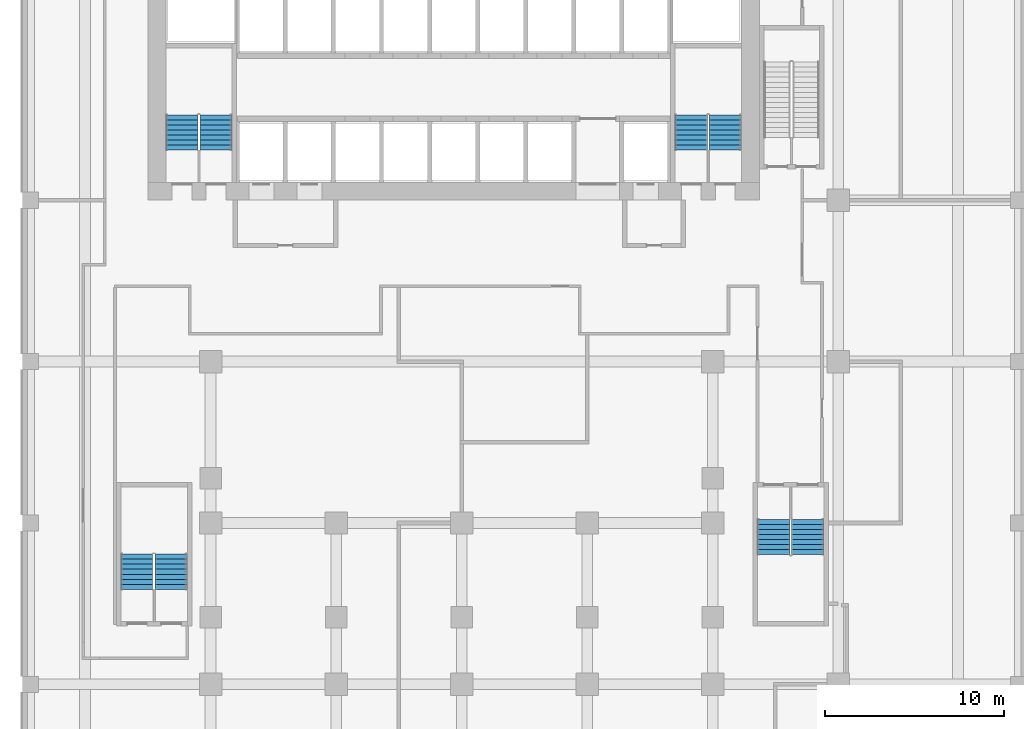
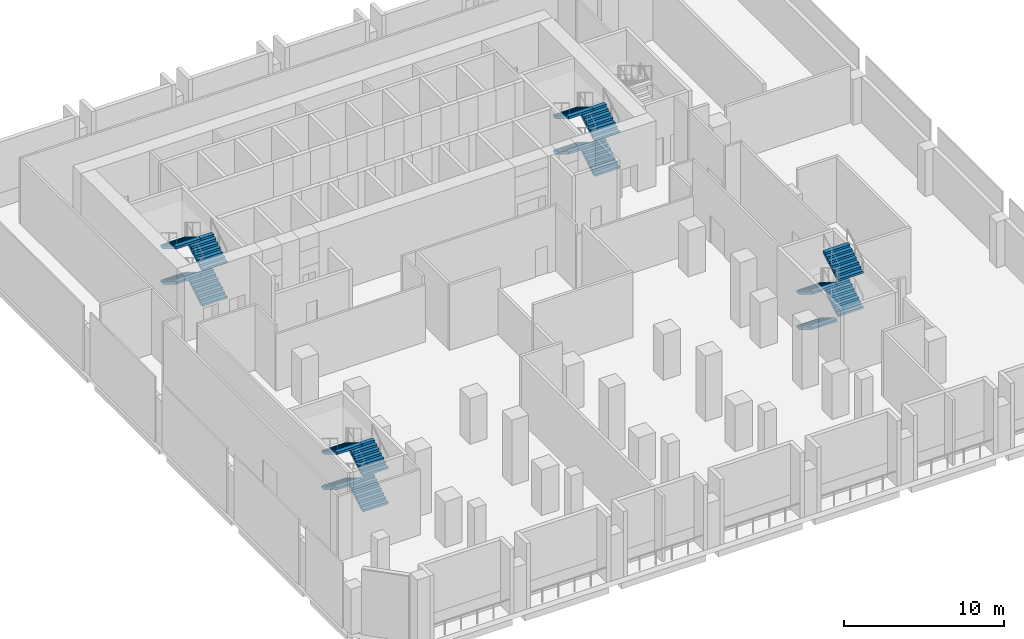
# One storey, part 7 of 10: 16 stair flights, 4 elements without a shape of their own.
"""IFC4 building model written with IfcOpenShell, lengths in metres."""

from ifc_helpers import new_model, si_unit, direction, frame, origin, place, context, subcontext, project, spatial, triangles, source, transform, mapped, material, type_object, element, aggregate, save


model = new_model("IFC4")

# Units and contexts
model_context = context("Model", 3, precision=1e-05, world=origin(), true_north=direction((0.0, 1.0)))
body_context = subcontext(model_context, "Body", "Model", "MODEL_VIEW")
ifc_project = project(units=[si_unit("LENGTHUNIT", "METRE"), si_unit("AREAUNIT", "SQUARE_METRE"), si_unit("VOLUMEUNIT", "CUBIC_METRE"), si_unit("PLANEANGLEUNIT", "RADIAN"), si_unit("MASSUNIT", "GRAM", prefix="KILO")], contexts=[model_context])

# Site, building, storey
site_placement = place(None, origin())
site = spatial("IfcSite", under=ifc_project, at=site_placement, CompositionType="ELEMENT")
building_placement = place(site_placement, origin())
building = spatial("IfcBuilding", under=site, at=building_placement, Name="Kilnfold Tower and Market Hall", CompositionType="ELEMENT")
storey_placement = place(building_placement, frame((0.0, 0.0, 95.199951171875)))
storey = spatial("IfcBuildingStorey", under=building, at=storey_placement, Name="L22 Refuge Transfer Level", CompositionType="ELEMENT", Elevation=95.199951171875)

# Stair, stair flights
ifc_material_1 = material(Name="Concrete C40/50", Category="concrete")
stair_type = type_object("IfcStairType", Name="CORE STAIR 1800", PredefinedType="HALF_TURN_STAIR", material=ifc_material_1)
stair_1_placement = place(storey_placement, origin())
stair_1 = element("IfcStair", 1, at=stair_1_placement, inside=storey, type_object=stair_type, Name="L22 Refuge Transfer Level ST1", PredefinedType="HALF_TURN_STAIR")
ifc_material_2 = material(Name="Concrete C40/50", Category="concrete")
stair_flight_type = type_object("IfcStairFlightType", Name="CORE STAIR FLIGHT 1800", PredefinedType="STRAIGHT", material=ifc_material_2)
shared_shape = source(origin(), body_context, "Body", "Tessellation", [
    triangles([(0.0, 0.89990234375, 0.0), (0.0, 0.78759765625, 0.0), (0.0, 0.675048828125, 0.0), (0.0, 0.5625, 0.0), (0.0, 0.449951171875, 0.0), (0.0, 0.33740234375, 0.0), (0.0, 0.22509765625, 0.0), (0.0, 0.112548828125, 0.0), (0.0, 0.0, 0.0), (0.0, -0.112548828125, 0.0), (0.0, -0.22509765625, 0.0), (0.0, -0.33740234375, 0.0), (0.0, -0.449951171875, 0.0), (0.0, -0.5625, 0.0), (0.0, -0.675048828125, 0.0), (0.0, -0.78759765625, 0.0), (0.0, -0.89990234375, 0.0), (0.0, 0.89990234375, 0.168701171875), (0.0, 0.78759765625, 0.168701171875), (0.0, 0.675048828125, 0.168701171875), (0.0, 0.5625, 0.168701171875), (0.0, 0.449951171875, 0.168701171875), (0.0, 0.33740234375, 0.168701171875), (0.0, 0.22509765625, 0.168701171875), (0.0, 0.112548828125, 0.168701171875), (0.0, 0.0, 0.168701171875), (0.0, -0.112548828125, 0.168701171875), (0.0, -0.22509765625, 0.168701171875), (0.0, -0.33740234375, 0.168701171875), (0.0, -0.449951171875, 0.168701171875), (0.0, -0.5625, 0.168701171875), (0.0, -0.675048828125, 0.168701171875), (0.0, -0.78759765625, 0.168701171875), (0.0, -0.89990234375, 0.168701171875), (0.280029296875, 0.89990234375, 0.168701171875), (0.280029296875, 0.78759765625, 0.168701171875), (0.280029296875, 0.675048828125, 0.168701171875), (0.280029296875, 0.5625, 0.168701171875), (0.280029296875, 0.449951171875, 0.168701171875), (0.280029296875, 0.33740234375, 0.168701171875), (0.280029296875, 0.22509765625, 0.168701171875), (0.280029296875, 0.112548828125, 0.168701171875), (0.280029296875, 0.0, 0.168701171875), (0.280029296875, -0.112548828125, 0.168701171875), (0.280029296875, -0.22509765625, 0.168701171875), (0.280029296875, -0.33740234375, 0.168701171875), (0.280029296875, -0.449951171875, 0.168701171875), (0.280029296875, -0.5625, 0.168701171875), (0.280029296875, -0.675048828125, 0.168701171875), (0.280029296875, -0.78759765625, 0.168701171875), (0.280029296875, -0.89990234375, 0.168701171875), (0.280029296875, 0.89990234375, 0.33740234375), (0.280029296875, 0.78759765625, 0.33740234375), (0.280029296875, 0.675048828125, 0.33740234375), (0.280029296875, 0.5625, 0.33740234375), (0.280029296875, 0.449951171875, 0.33740234375), (0.280029296875, 0.33740234375, 0.33740234375), (0.280029296875, 0.22509765625, 0.33740234375), (0.280029296875, 0.112548828125, 0.33740234375), (0.280029296875, 0.0, 0.33740234375), (0.280029296875, -0.112548828125, 0.33740234375), (0.280029296875, -0.22509765625, 0.33740234375), (0.280029296875, -0.33740234375, 0.33740234375), (0.280029296875, -0.449951171875, 0.33740234375), (0.280029296875, -0.5625, 0.33740234375), (0.280029296875, -0.675048828125, 0.33740234375), (0.280029296875, -0.78759765625, 0.33740234375), (0.280029296875, -0.89990234375, 0.33740234375), (0.56005859375, 0.89990234375, 0.33740234375), (0.56005859375, 0.78759765625, 0.33740234375), (0.56005859375, 0.675048828125, 0.33740234375), (0.56005859375, 0.5625, 0.33740234375), (0.56005859375, 0.449951171875, 0.33740234375), (0.56005859375, 0.33740234375, 0.33740234375), (0.56005859375, 0.22509765625, 0.33740234375), (0.56005859375, 0.112548828125, 0.33740234375), (0.56005859375, 0.0, 0.33740234375), (0.56005859375, -0.112548828125, 0.33740234375), (0.56005859375, -0.22509765625, 0.33740234375), (0.56005859375, -0.33740234375, 0.33740234375), (0.56005859375, -0.449951171875, 0.33740234375), (0.56005859375, -0.5625, 0.33740234375), (0.56005859375, -0.675048828125, 0.33740234375), (0.56005859375, -0.78759765625, 0.33740234375), (0.56005859375, -0.89990234375, 0.33740234375), (0.56005859375, 0.89990234375, 0.50634765625), (0.56005859375, 0.78759765625, 0.50634765625), (0.56005859375, 0.675048828125, 0.50634765625), (0.56005859375, 0.5625, 0.50634765625), (0.56005859375, 0.449951171875, 0.50634765625), (0.56005859375, 0.33740234375, 0.50634765625), (0.56005859375, 0.22509765625, 0.50634765625), (0.56005859375, 0.112548828125, 0.50634765625), (0.56005859375, 0.0, 0.50634765625), (0.56005859375, -0.112548828125, 0.50634765625), (0.56005859375, -0.22509765625, 0.50634765625), (0.56005859375, -0.33740234375, 0.50634765625), (0.56005859375, -0.449951171875, 0.50634765625), (0.56005859375, -0.5625, 0.50634765625), (0.56005859375, -0.675048828125, 0.50634765625), (0.56005859375, -0.78759765625, 0.50634765625), (0.56005859375, -0.89990234375, 0.50634765625), (0.840087890625, 0.89990234375, 0.50634765625), (0.840087890625, 0.78759765625, 0.50634765625), (0.840087890625, 0.675048828125, 0.50634765625), (0.840087890625, 0.5625, 0.50634765625), (0.840087890625, 0.449951171875, 0.50634765625), (0.840087890625, 0.33740234375, 0.50634765625), (0.840087890625, 0.22509765625, 0.50634765625), (0.840087890625, 0.112548828125, 0.50634765625), (0.840087890625, 0.0, 0.50634765625), (0.840087890625, -0.112548828125, 0.50634765625), (0.840087890625, -0.22509765625, 0.50634765625), (0.840087890625, -0.33740234375, 0.50634765625), (0.840087890625, -0.449951171875, 0.50634765625), (0.840087890625, -0.5625, 0.50634765625), (0.840087890625, -0.675048828125, 0.50634765625), (0.840087890625, -0.78759765625, 0.50634765625), (0.840087890625, -0.89990234375, 0.50634765625), (0.840087890625, 0.89990234375, 0.675048828125), (0.840087890625, 0.78759765625, 0.675048828125), (0.840087890625, 0.675048828125, 0.675048828125), (0.840087890625, 0.5625, 0.675048828125), (0.840087890625, 0.449951171875, 0.675048828125), (0.840087890625, 0.33740234375, 0.675048828125), (0.840087890625, 0.22509765625, 0.675048828125), (0.840087890625, 0.112548828125, 0.675048828125), (0.840087890625, 0.0, 0.675048828125), (0.840087890625, -0.112548828125, 0.675048828125), (0.840087890625, -0.22509765625, 0.675048828125), (0.840087890625, -0.33740234375, 0.675048828125), (0.840087890625, -0.449951171875, 0.675048828125), (0.840087890625, -0.5625, 0.675048828125), (0.840087890625, -0.675048828125, 0.675048828125), (0.840087890625, -0.78759765625, 0.675048828125), (0.840087890625, -0.89990234375, 0.675048828125), (1.1201171875, 0.89990234375, 0.675048828125), (1.1201171875, 0.78759765625, 0.675048828125), (1.1201171875, 0.675048828125, 0.675048828125), (1.1201171875, 0.5625, 0.675048828125), (1.1201171875, 0.449951171875, 0.675048828125), (1.1201171875, 0.33740234375, 0.675048828125), (1.1201171875, 0.22509765625, 0.675048828125), (1.1201171875, 0.112548828125, 0.675048828125), (1.1201171875, 0.0, 0.675048828125), (1.1201171875, -0.112548828125, 0.675048828125), (1.1201171875, -0.22509765625, 0.675048828125), (1.1201171875, -0.33740234375, 0.675048828125), (1.1201171875, -0.449951171875, 0.675048828125), (1.1201171875, -0.5625, 0.675048828125), (1.1201171875, -0.675048828125, 0.675048828125), (1.1201171875, -0.78759765625, 0.675048828125), (1.1201171875, -0.89990234375, 0.675048828125), (1.1201171875, 0.89990234375, 0.84375), (1.1201171875, 0.78759765625, 0.84375), (1.1201171875, 0.675048828125, 0.84375), (1.1201171875, 0.5625, 0.84375), (1.1201171875, 0.449951171875, 0.84375), (1.1201171875, 0.33740234375, 0.84375), (1.1201171875, 0.22509765625, 0.84375), (1.1201171875, 0.112548828125, 0.84375), (1.1201171875, 0.0, 0.84375), (1.1201171875, -0.112548828125, 0.84375), (1.1201171875, -0.22509765625, 0.84375), (1.1201171875, -0.33740234375, 0.84375), (1.1201171875, -0.449951171875, 0.84375), (1.1201171875, -0.5625, 0.84375), (1.1201171875, -0.675048828125, 0.84375), (1.1201171875, -0.78759765625, 0.84375), (1.1201171875, -0.89990234375, 0.84375), (1.39990234375, 0.89990234375, 0.84375), (1.39990234375, 0.78759765625, 0.84375), (1.39990234375, 0.675048828125, 0.84375), (1.39990234375, 0.5625, 0.84375), (1.39990234375, 0.449951171875, 0.84375), (1.39990234375, 0.33740234375, 0.84375), (1.39990234375, 0.22509765625, 0.84375), (1.39990234375, 0.112548828125, 0.84375), (1.39990234375, 0.0, 0.84375), (1.39990234375, -0.112548828125, 0.84375), (1.39990234375, -0.22509765625, 0.84375), (1.39990234375, -0.33740234375, 0.84375), (1.39990234375, -0.449951171875, 0.84375), (1.39990234375, -0.5625, 0.84375), (1.39990234375, -0.675048828125, 0.84375), (1.39990234375, -0.78759765625, 0.84375), (1.39990234375, -0.89990234375, 0.84375), (1.39990234375, 0.89990234375, 1.012451171875), (1.39990234375, 0.78759765625, 1.012451171875), (1.39990234375, 0.675048828125, 1.012451171875), (1.39990234375, 0.5625, 1.012451171875), (1.39990234375, 0.449951171875, 1.012451171875), (1.39990234375, 0.33740234375, 1.012451171875), (1.39990234375, 0.22509765625, 1.012451171875), (1.39990234375, 0.112548828125, 1.012451171875), (1.39990234375, 0.0, 1.012451171875), (1.39990234375, -0.112548828125, 1.012451171875), (1.39990234375, -0.22509765625, 1.012451171875), (1.39990234375, -0.33740234375, 1.012451171875), (1.39990234375, -0.449951171875, 1.012451171875), (1.39990234375, -0.5625, 1.012451171875), (1.39990234375, -0.675048828125, 1.012451171875), (1.39990234375, -0.78759765625, 1.012451171875), (1.39990234375, -0.89990234375, 1.012451171875), (1.679931640625, 0.89990234375, 1.012451171875), (1.679931640625, 0.78759765625, 1.012451171875), (1.679931640625, 0.675048828125, 1.012451171875), (1.679931640625, 0.5625, 1.012451171875), (1.679931640625, 0.449951171875, 1.012451171875), (1.679931640625, 0.33740234375, 1.012451171875), (1.679931640625, 0.22509765625, 1.012451171875), (1.679931640625, 0.112548828125, 1.012451171875), (1.679931640625, 0.0, 1.012451171875), (1.679931640625, -0.112548828125, 1.012451171875), (1.679931640625, -0.22509765625, 1.012451171875), (1.679931640625, -0.33740234375, 1.012451171875), (1.679931640625, -0.449951171875, 1.012451171875), (1.679931640625, -0.5625, 1.012451171875), (1.679931640625, -0.675048828125, 1.012451171875), (1.679931640625, -0.78759765625, 1.012451171875), (1.679931640625, -0.89990234375, 1.012451171875), (1.679931640625, 0.89990234375, 1.18115234375), (1.679931640625, 0.78759765625, 1.18115234375), (1.679931640625, 0.675048828125, 1.18115234375), (1.679931640625, 0.5625, 1.18115234375), (1.679931640625, 0.449951171875, 1.18115234375), (1.679931640625, 0.33740234375, 1.18115234375), (1.679931640625, 0.22509765625, 1.18115234375), (1.679931640625, 0.112548828125, 1.18115234375), (1.679931640625, 0.0, 1.18115234375), (1.679931640625, -0.112548828125, 1.18115234375), (1.679931640625, -0.22509765625, 1.18115234375), (1.679931640625, -0.33740234375, 1.18115234375), (1.679931640625, -0.449951171875, 1.18115234375), (1.679931640625, -0.5625, 1.18115234375), (1.679931640625, -0.675048828125, 1.18115234375), (1.679931640625, -0.78759765625, 1.18115234375), (1.679931640625, -0.89990234375, 1.18115234375), (1.9599609375, 0.89990234375, 1.18115234375), (1.9599609375, 0.78759765625, 1.18115234375), (1.9599609375, 0.675048828125, 1.18115234375), (1.9599609375, 0.5625, 1.18115234375), (1.9599609375, 0.449951171875, 1.18115234375), (1.9599609375, 0.33740234375, 1.18115234375), (1.9599609375, 0.22509765625, 1.18115234375), (1.9599609375, 0.112548828125, 1.18115234375), (1.9599609375, 0.0, 1.18115234375), (1.9599609375, -0.112548828125, 1.18115234375), (1.9599609375, -0.22509765625, 1.18115234375), (1.9599609375, -0.33740234375, 1.18115234375), (1.9599609375, -0.449951171875, 1.18115234375), (1.9599609375, -0.5625, 1.18115234375), (1.9599609375, -0.675048828125, 1.18115234375), (1.9599609375, -0.78759765625, 1.18115234375), (1.9599609375, -0.89990234375, 1.18115234375), (1.9599609375, 0.89990234375, 1.00634765625), (1.9599609375, 0.78759765625, 1.00634765625), (1.9599609375, 0.675048828125, 1.00634765625), (1.9599609375, 0.5625, 1.00634765625), (1.9599609375, 0.449951171875, 1.00634765625), (1.9599609375, 0.33740234375, 1.00634765625), (1.9599609375, 0.22509765625, 1.00634765625), (1.9599609375, 0.112548828125, 1.00634765625), (1.9599609375, 0.0, 1.00634765625), (1.9599609375, -0.112548828125, 1.00634765625), (1.9599609375, -0.22509765625, 1.00634765625), (1.9599609375, -0.33740234375, 1.00634765625), (1.9599609375, -0.449951171875, 1.00634765625), (1.9599609375, -0.5625, 1.00634765625), (1.9599609375, -0.675048828125, 1.00634765625), (1.9599609375, -0.78759765625, 1.00634765625), (1.9599609375, -0.89990234375, 1.00634765625), (0.29052734375, 0.89990234375, 0.0), (0.29052734375, 0.78759765625, 0.0), (0.29052734375, 0.675048828125, 0.0), (0.29052734375, 0.5625, 0.0), (0.29052734375, 0.449951171875, 0.0), (0.29052734375, 0.33740234375, 0.0), (0.29052734375, 0.22509765625, 0.0), (0.29052734375, 0.112548828125, 0.0), (0.29052734375, 0.0, 0.0), (0.29052734375, -0.112548828125, 0.0), (0.29052734375, -0.22509765625, 0.0), (0.29052734375, -0.33740234375, 0.0), (0.29052734375, -0.449951171875, 0.0), (0.29052734375, -0.5625, 0.0), (0.29052734375, -0.675048828125, 0.0), (0.29052734375, -0.78759765625, 0.0), (0.29052734375, -0.89990234375, 0.0)], [[1, 256, 273], [17, 289, 272], [256, 222, 239], [272, 255, 238], [256, 205, 222], [272, 238, 221], [256, 188, 205], [272, 221, 204], [256, 171, 188], [272, 204, 187], [171, 137, 154], [187, 170, 153], [256, 137, 171], [272, 187, 153], [137, 103, 120], [153, 136, 119], [256, 103, 137], [272, 153, 119], [103, 69, 86], [119, 102, 85], [256, 69, 103], [272, 119, 85], [69, 35, 52], [85, 68, 51], [256, 35, 69], [272, 85, 51], [1, 35, 256], [17, 272, 51], [35, 1, 18], [51, 34, 17], [1, 19, 18], [1, 2, 19], [2, 20, 19], [2, 3, 20], [3, 21, 20], [3, 4, 21], [4, 22, 21], [4, 5, 22], [5, 23, 22], [5, 6, 23], [6, 24, 23], [6, 7, 24], [7, 25, 24], [7, 8, 25], [8, 26, 25], [8, 9, 26], [9, 27, 26], [9, 10, 27], [10, 28, 27], [10, 11, 28], [11, 29, 28], [11, 12, 29], [12, 30, 29], [12, 13, 30], [13, 31, 30], [13, 14, 31], [14, 32, 31], [14, 15, 32], [15, 33, 32], [15, 16, 33], [16, 34, 33], [16, 17, 34], [18, 36, 35], [18, 19, 36], [19, 37, 36], [19, 20, 37], [20, 38, 37], [20, 21, 38], [21, 39, 38], [21, 22, 39], [22, 40, 39], [22, 23, 40], [23, 41, 40], [23, 24, 41], [24, 42, 41], [24, 25, 42], [25, 43, 42], [25, 26, 43], [26, 44, 43], [26, 27, 44], [27, 45, 44], [27, 28, 45], [28, 46, 45], [28, 29, 46], [29, 47, 46], [29, 30, 47], [30, 48, 47], [30, 31, 48], [31, 49, 48], [31, 32, 49], [32, 50, 49], [32, 33, 50], [33, 51, 50], [33, 34, 51], [35, 53, 52], [35, 36, 53], [36, 54, 53], [36, 37, 54], [37, 55, 54], [37, 38, 55], [38, 56, 55], [38, 39, 56], [39, 57, 56], [39, 40, 57], [40, 58, 57], [40, 41, 58], [41, 59, 58], [41, 42, 59], [42, 60, 59], [42, 43, 60], [43, 61, 60], [43, 44, 61], [44, 62, 61], [44, 45, 62], [45, 63, 62], [45, 46, 63], [46, 64, 63], [46, 47, 64], [47, 65, 64], [47, 48, 65], [48, 66, 65], [48, 49, 66], [49, 67, 66], [49, 50, 67], [50, 68, 67], [50, 51, 68], [52, 70, 69], [52, 53, 70], [53, 71, 70], [53, 54, 71], [54, 72, 71], [54, 55, 72], [55, 73, 72], [55, 56, 73], [56, 74, 73], [56, 57, 74], [57, 75, 74], [57, 58, 75], [58, 76, 75], [58, 59, 76], [59, 77, 76], [59, 60, 77], [60, 78, 77], [60, 61, 78], [61, 79, 78], [61, 62, 79], [62, 80, 79], [62, 63, 80], [63, 81, 80], [63, 64, 81], [64, 82, 81], [64, 65, 82], [65, 83, 82], [65, 66, 83], [66, 84, 83], [66, 67, 84], [67, 85, 84], [67, 68, 85], [69, 87, 86], [69, 70, 87], [70, 88, 87], [70, 71, 88], [71, 89, 88], [71, 72, 89], [72, 90, 89], [72, 73, 90], [73, 91, 90], [73, 74, 91], [74, 92, 91], [74, 75, 92], [75, 93, 92], [75, 76, 93], [76, 94, 93], [76, 77, 94], [77, 95, 94], [77, 78, 95], [78, 96, 95], [78, 79, 96], [79, 97, 96], [79, 80, 97], [80, 98, 97], [80, 81, 98], [81, 99, 98], [81, 82, 99], [82, 100, 99], [82, 83, 100], [83, 101, 100], [83, 84, 101], [84, 102, 101], [84, 85, 102], [86, 104, 103], [86, 87, 104], [87, 105, 104], [87, 88, 105], [88, 106, 105], [88, 89, 106], [89, 107, 106], [89, 90, 107], [90, 108, 107], [90, 91, 108], [91, 109, 108], [91, 92, 109], [92, 110, 109], [92, 93, 110], [93, 111, 110], [93, 94, 111], [94, 112, 111], [94, 95, 112], [95, 113, 112], [95, 96, 113], [96, 114, 113], [96, 97, 114], [97, 115, 114], [97, 98, 115], [98, 116, 115], [98, 99, 116], [99, 117, 116], [99, 100, 117], [100, 118, 117], [100, 101, 118], [101, 119, 118], [101, 102, 119], [103, 121, 120], [103, 104, 121], [104, 122, 121], [104, 105, 122], [105, 123, 122], [105, 106, 123], [106, 124, 123], [106, 107, 124], [107, 125, 124], [107, 108, 125], [108, 126, 125], [108, 109, 126], [109, 127, 126], [109, 110, 127], [110, 128, 127], [110, 111, 128], [111, 129, 128], [111, 112, 129], [112, 130, 129], [112, 113, 130], [113, 131, 130], [113, 114, 131], [114, 132, 131], [114, 115, 132], [115, 133, 132], [115, 116, 133], [116, 134, 133], [116, 117, 134], [117, 135, 134], [117, 118, 135], [118, 136, 135], [118, 119, 136], [120, 138, 137], [120, 121, 138], [121, 139, 138], [121, 122, 139], [122, 140, 139], [122, 123, 140], [123, 141, 140], [123, 124, 141], [124, 142, 141], [124, 125, 142], [125, 143, 142], [125, 126, 143], [126, 144, 143], [126, 127, 144], [127, 145, 144], [127, 128, 145], [128, 146, 145], [128, 129, 146], [129, 147, 146], [129, 130, 147], [130, 148, 147], [130, 131, 148], [131, 149, 148], [131, 132, 149], [132, 150, 149], [132, 133, 150], [133, 151, 150], [133, 134, 151], [134, 152, 151], [134, 135, 152], [135, 153, 152], [135, 136, 153], [137, 155, 154], [137, 138, 155], [138, 156, 155], [138, 139, 156], [139, 157, 156], [139, 140, 157], [140, 158, 157], [140, 141, 158], [141, 159, 158], [141, 142, 159], [142, 160, 159], [142, 143, 160], [143, 161, 160], [143, 144, 161], [144, 162, 161], [144, 145, 162], [145, 163, 162], [145, 146, 163], [146, 164, 163], [146, 147, 164], [147, 165, 164], [147, 148, 165], [148, 166, 165], [148, 149, 166], [149, 167, 166], [149, 150, 167], [150, 168, 167], [150, 151, 168], [151, 169, 168], [151, 152, 169], [152, 170, 169], [152, 153, 170], [154, 172, 171], [154, 155, 172], [155, 173, 172], [155, 156, 173], [156, 174, 173], [156, 157, 174], [157, 175, 174], [157, 158, 175], [158, 176, 175], [158, 159, 176], [159, 177, 176], [159, 160, 177], [160, 178, 177], [160, 161, 178], [161, 179, 178], [161, 162, 179], [162, 180, 179], [162, 163, 180], [163, 181, 180], [163, 164, 181], [164, 182, 181], [164, 165, 182], [165, 183, 182], [165, 166, 183], [166, 184, 183], [166, 167, 184], [167, 185, 184], [167, 168, 185], [168, 186, 185], [168, 169, 186], [169, 187, 186], [169, 170, 187], [171, 189, 188], [171, 172, 189], [172, 190, 189], [172, 173, 190], [173, 191, 190], [173, 174, 191], [174, 192, 191], [174, 175, 192], [175, 193, 192], [175, 176, 193], [176, 194, 193], [176, 177, 194], [177, 195, 194], [177, 178, 195], [178, 196, 195], [178, 179, 196], [179, 197, 196], [179, 180, 197], [180, 198, 197], [180, 181, 198], [181, 199, 198], [181, 182, 199], [182, 200, 199], [182, 183, 200], [183, 201, 200], [183, 184, 201], [184, 202, 201], [184, 185, 202], [185, 203, 202], [185, 186, 203], [186, 204, 203], [186, 187, 204], [188, 206, 205], [188, 189, 206], [189, 207, 206], [189, 190, 207], [190, 208, 207], [190, 191, 208], [191, 209, 208], [191, 192, 209], [192, 210, 209], [192, 193, 210], [193, 211, 210], [193, 194, 211], [194, 212, 211], [194, 195, 212], [195, 213, 212], [195, 196, 213], [196, 214, 213], [196, 197, 214], [197, 215, 214], [197, 198, 215], [198, 216, 215], [198, 199, 216], [199, 217, 216], [199, 200, 217], [200, 218, 217], [200, 201, 218], [201, 219, 218], [201, 202, 219], [202, 220, 219], [202, 203, 220], [203, 221, 220], [203, 204, 221], [205, 223, 222], [205, 206, 223], [206, 224, 223], [206, 207, 224], [207, 225, 224], [207, 208, 225], [208, 226, 225], [208, 209, 226], [209, 227, 226], [209, 210, 227], [210, 228, 227], [210, 211, 228], [211, 229, 228], [211, 212, 229], [212, 230, 229], [212, 213, 230], [213, 231, 230], [213, 214, 231], [214, 232, 231], [214, 215, 232], [215, 233, 232], [215, 216, 233], [216, 234, 233], [216, 217, 234], [217, 235, 234], [217, 218, 235], [218, 236, 235], [218, 219, 236], [219, 237, 236], [219, 220, 237], [220, 238, 237], [220, 221, 238], [222, 240, 239], [222, 223, 240], [223, 241, 240], [223, 224, 241], [224, 242, 241], [224, 225, 242], [225, 243, 242], [225, 226, 243], [226, 244, 243], [226, 227, 244], [227, 245, 244], [227, 228, 245], [228, 246, 245], [228, 229, 246], [229, 247, 246], [229, 230, 247], [230, 248, 247], [230, 231, 248], [231, 249, 248], [231, 232, 249], [232, 250, 249], [232, 233, 250], [233, 251, 250], [233, 234, 251], [234, 252, 251], [234, 235, 252], [235, 253, 252], [235, 236, 253], [236, 254, 253], [236, 237, 254], [237, 255, 254], [237, 238, 255], [239, 257, 256], [239, 240, 257], [240, 258, 257], [240, 241, 258], [241, 259, 258], [241, 242, 259], [242, 260, 259], [242, 243, 260], [243, 261, 260], [243, 244, 261], [244, 262, 261], [244, 245, 262], [245, 263, 262], [245, 246, 263], [246, 264, 263], [246, 247, 264], [247, 265, 264], [247, 248, 265], [248, 266, 265], [248, 249, 266], [249, 267, 266], [249, 250, 267], [250, 268, 267], [250, 251, 268], [251, 269, 268], [251, 252, 269], [252, 270, 269], [252, 253, 270], [253, 271, 270], [253, 254, 271], [254, 272, 271], [254, 255, 272], [256, 274, 273], [256, 257, 274], [257, 275, 274], [257, 258, 275], [258, 276, 275], [258, 259, 276], [259, 277, 276], [259, 260, 277], [260, 278, 277], [260, 261, 278], [261, 279, 278], [261, 262, 279], [262, 280, 279], [262, 263, 280], [263, 281, 280], [263, 264, 281], [264, 282, 281], [264, 265, 282], [265, 283, 282], [265, 266, 283], [266, 284, 283], [266, 267, 284], [267, 285, 284], [267, 268, 285], [268, 286, 285], [268, 269, 286], [269, 287, 286], [269, 270, 287], [270, 288, 287], [270, 271, 288], [271, 289, 288], [271, 272, 289], [273, 2, 1], [273, 274, 2], [274, 3, 2], [274, 275, 3], [275, 4, 3], [275, 276, 4], [276, 5, 4], [276, 277, 5], [277, 6, 5], [277, 278, 6], [278, 7, 6], [278, 279, 7], [279, 8, 7], [279, 280, 8], [280, 9, 8], [280, 281, 9], [281, 10, 9], [281, 282, 10], [282, 11, 10], [282, 283, 11], [283, 12, 11], [283, 284, 12], [284, 13, 12], [284, 285, 13], [285, 14, 13], [285, 286, 14], [286, 15, 14], [286, 287, 15], [287, 16, 15], [287, 288, 16], [288, 17, 16], [288, 289, 17]], closed=True),
])
stair_flight_1_placement = place(storey_placement, frame((-12.199951171875, 10.800048828125, 0.0), z_axis=(0.0, 0.0, 1.0), x_axis=(0.0, 1.0, 0.0)))
stair_flight_1 = element("IfcStairFlight", 2, at=stair_flight_1_placement, type_object=stair_flight_type, Name="ST1 flight 1", NumberOfRisers=8, NumberOfTreads=7, PredefinedType="STRAIGHT", RiserHeight=0.16875, TreadLength=0.28, context=body_context, shape_type="MappedRepresentation", body=[
    mapped(shared_shape, transform((0.0, 0.0, 0.0))),
])
stair_flight_2_placement = place(storey_placement, frame((-14.10009765625, 12.760009765625, 1.35009765625), z_axis=(0.0, 0.0, 1.0), x_axis=(0.0, -1.0, 0.0)))
stair_flight_2 = element("IfcStairFlight", 3, at=stair_flight_2_placement, type_object=stair_flight_type, Name="ST1 flight 2", NumberOfRisers=8, NumberOfTreads=7, PredefinedType="STRAIGHT", RiserHeight=0.16875, TreadLength=0.28, context=body_context, shape_type="MappedRepresentation", body=[
    mapped(shared_shape, transform((0.0, 0.0, 0.0))),
])
stair_flight_3_placement = place(storey_placement, frame((-12.199951171875, 10.800048828125, 2.699951171875), z_axis=(0.0, 0.0, 1.0), x_axis=(0.0, 1.0, 0.0)))
stair_flight_3 = element("IfcStairFlight", 4, at=stair_flight_3_placement, type_object=stair_flight_type, Name="ST1 flight 3", NumberOfRisers=8, NumberOfTreads=7, PredefinedType="STRAIGHT", RiserHeight=0.16875, TreadLength=0.28, context=body_context, shape_type="MappedRepresentation", body=[
    mapped(shared_shape, transform((0.0, 0.0, 0.0))),
])
stair_flight_4_placement = place(storey_placement, frame((-14.10009765625, 12.760009765625, 4.050048828125), z_axis=(0.0, 0.0, 1.0), x_axis=(0.0, -1.0, 0.0)))
stair_flight_4 = element("IfcStairFlight", 5, at=stair_flight_4_placement, type_object=stair_flight_type, Name="ST1 flight 4", NumberOfRisers=8, NumberOfTreads=7, PredefinedType="STRAIGHT", RiserHeight=0.16875, TreadLength=0.28, context=body_context, shape_type="MappedRepresentation", body=[
    mapped(shared_shape, transform((0.0, 0.0, 0.0))),
])
aggregate(stair_1, [stair_flight_1, stair_flight_2, stair_flight_3, stair_flight_4])

stair_2_placement = place(storey_placement, origin())
stair_2 = element("IfcStair", 6, at=stair_2_placement, inside=storey, type_object=stair_type, Name="L22 Refuge Transfer Level ST2", PredefinedType="HALF_TURN_STAIR")
stair_flight_5_placement = place(storey_placement, frame((16.199951171875, 10.800048828125, 0.0), z_axis=(0.0, 0.0, 1.0), x_axis=(0.0, 1.0, 0.0)))
stair_flight_5 = element("IfcStairFlight", 7, at=stair_flight_5_placement, type_object=stair_flight_type, Name="ST2 flight 1", NumberOfRisers=8, NumberOfTreads=7, PredefinedType="STRAIGHT", RiserHeight=0.16875, TreadLength=0.28, context=body_context, shape_type="MappedRepresentation", body=[
    mapped(shared_shape, transform((0.0, 0.0, 0.0))),
])
stair_flight_6_placement = place(storey_placement, frame((14.300048828125, 12.760009765625, 1.35009765625), z_axis=(0.0, 0.0, 1.0), x_axis=(0.0, -1.0, 0.0)))
stair_flight_6 = element("IfcStairFlight", 8, at=stair_flight_6_placement, type_object=stair_flight_type, Name="ST2 flight 2", NumberOfRisers=8, NumberOfTreads=7, PredefinedType="STRAIGHT", RiserHeight=0.16875, TreadLength=0.28, context=body_context, shape_type="MappedRepresentation", body=[
    mapped(shared_shape, transform((0.0, 0.0, 0.0))),
])
stair_flight_7_placement = place(storey_placement, frame((16.199951171875, 10.800048828125, 2.699951171875), z_axis=(0.0, 0.0, 1.0), x_axis=(0.0, 1.0, 0.0)))
stair_flight_7 = element("IfcStairFlight", 9, at=stair_flight_7_placement, type_object=stair_flight_type, Name="ST2 flight 3", NumberOfRisers=8, NumberOfTreads=7, PredefinedType="STRAIGHT", RiserHeight=0.16875, TreadLength=0.28, context=body_context, shape_type="MappedRepresentation", body=[
    mapped(shared_shape, transform((0.0, 0.0, 0.0))),
])
stair_flight_8_placement = place(storey_placement, frame((14.300048828125, 12.760009765625, 4.050048828125), z_axis=(0.0, 0.0, 1.0), x_axis=(0.0, -1.0, 0.0)))
stair_flight_8 = element("IfcStairFlight", 10, at=stair_flight_8_placement, type_object=stair_flight_type, Name="ST2 flight 4", NumberOfRisers=8, NumberOfTreads=7, PredefinedType="STRAIGHT", RiserHeight=0.16875, TreadLength=0.28, context=body_context, shape_type="MappedRepresentation", body=[
    mapped(shared_shape, transform((0.0, 0.0, 0.0))),
])
aggregate(stair_2, [stair_flight_5, stair_flight_6, stair_flight_7, stair_flight_8])

stair_3_placement = place(storey_placement, origin())
stair_3 = element("IfcStair", 11, at=stair_3_placement, inside=storey, type_object=stair_type, Name="L22 Refuge Transfer Level ST3", PredefinedType="HALF_TURN_STAIR")
stair_flight_9_placement = place(storey_placement, frame((-14.699951171875, -13.699951171875, 0.0), z_axis=(0.0, 0.0, 1.0), x_axis=(0.0, 1.0, 0.0)))
stair_flight_9 = element("IfcStairFlight", 12, at=stair_flight_9_placement, type_object=stair_flight_type, Name="ST3 flight 1", NumberOfRisers=8, NumberOfTreads=7, PredefinedType="STRAIGHT", RiserHeight=0.16875, TreadLength=0.28, context=body_context, shape_type="MappedRepresentation", body=[
    mapped(shared_shape, transform((0.0, 0.0, 0.0))),
])
stair_flight_10_placement = place(storey_placement, frame((-16.60009765625, -11.739990234375, 1.35009765625), z_axis=(0.0, 0.0, 1.0), x_axis=(0.0, -1.0, 0.0)))
stair_flight_10 = element("IfcStairFlight", 13, at=stair_flight_10_placement, type_object=stair_flight_type, Name="ST3 flight 2", NumberOfRisers=8, NumberOfTreads=7, PredefinedType="STRAIGHT", RiserHeight=0.16875, TreadLength=0.28, context=body_context, shape_type="MappedRepresentation", body=[
    mapped(shared_shape, transform((0.0, 0.0, 0.0))),
])
stair_flight_11_placement = place(storey_placement, frame((-14.699951171875, -13.699951171875, 2.699951171875), z_axis=(0.0, 0.0, 1.0), x_axis=(0.0, 1.0, 0.0)))
stair_flight_11 = element("IfcStairFlight", 14, at=stair_flight_11_placement, type_object=stair_flight_type, Name="ST3 flight 3", NumberOfRisers=8, NumberOfTreads=7, PredefinedType="STRAIGHT", RiserHeight=0.16875, TreadLength=0.28, context=body_context, shape_type="MappedRepresentation", body=[
    mapped(shared_shape, transform((0.0, 0.0, 0.0))),
])
stair_flight_12_placement = place(storey_placement, frame((-16.60009765625, -11.739990234375, 4.050048828125), z_axis=(0.0, 0.0, 1.0), x_axis=(0.0, -1.0, 0.0)))
stair_flight_12 = element("IfcStairFlight", 15, at=stair_flight_12_placement, type_object=stair_flight_type, Name="ST3 flight 4", NumberOfRisers=8, NumberOfTreads=7, PredefinedType="STRAIGHT", RiserHeight=0.16875, TreadLength=0.28, context=body_context, shape_type="MappedRepresentation", body=[
    mapped(shared_shape, transform((0.0, 0.0, 0.0))),
])
aggregate(stair_3, [stair_flight_9, stair_flight_10, stair_flight_11, stair_flight_12])

stair_4_placement = place(storey_placement, origin())
stair_4 = element("IfcStair", 16, at=stair_4_placement, inside=storey, type_object=stair_type, Name="L22 Refuge Transfer Level ST4", PredefinedType="HALF_TURN_STAIR")
stair_flight_13_placement = place(storey_placement, frame((18.89990234375, -9.800048828125, 0.0), z_axis=(0.0, 0.0, 1.0), x_axis=(0.0, -1.0, 0.0)))
stair_flight_13 = element("IfcStairFlight", 17, at=stair_flight_13_placement, type_object=stair_flight_type, Name="ST4 flight 1", NumberOfRisers=8, NumberOfTreads=7, PredefinedType="STRAIGHT", RiserHeight=0.16875, TreadLength=0.28, context=body_context, shape_type="MappedRepresentation", body=[
    mapped(shared_shape, transform((0.0, 0.0, 0.0))),
])
stair_flight_14_placement = place(storey_placement, frame((20.800048828125, -11.760009765625, 1.35009765625), z_axis=(0.0, 0.0, 1.0), x_axis=(0.0, 1.0, 0.0)))
stair_flight_14 = element("IfcStairFlight", 18, at=stair_flight_14_placement, type_object=stair_flight_type, Name="ST4 flight 2", NumberOfRisers=8, NumberOfTreads=7, PredefinedType="STRAIGHT", RiserHeight=0.16875, TreadLength=0.28, context=body_context, shape_type="MappedRepresentation", body=[
    mapped(shared_shape, transform((0.0, 0.0, 0.0))),
])
stair_flight_15_placement = place(storey_placement, frame((18.89990234375, -9.800048828125, 2.699951171875), z_axis=(0.0, 0.0, 1.0), x_axis=(0.0, -1.0, 0.0)))
stair_flight_15 = element("IfcStairFlight", 19, at=stair_flight_15_placement, type_object=stair_flight_type, Name="ST4 flight 3", NumberOfRisers=8, NumberOfTreads=7, PredefinedType="STRAIGHT", RiserHeight=0.16875, TreadLength=0.28, context=body_context, shape_type="MappedRepresentation", body=[
    mapped(shared_shape, transform((0.0, 0.0, 0.0))),
])
stair_flight_16_placement = place(storey_placement, frame((20.800048828125, -11.760009765625, 4.050048828125), z_axis=(0.0, 0.0, 1.0), x_axis=(0.0, 1.0, 0.0)))
stair_flight_16 = element("IfcStairFlight", 20, at=stair_flight_16_placement, type_object=stair_flight_type, Name="ST4 flight 4", NumberOfRisers=8, NumberOfTreads=7, PredefinedType="STRAIGHT", RiserHeight=0.16875, TreadLength=0.28, context=body_context, shape_type="MappedRepresentation", body=[
    mapped(shared_shape, transform((0.0, 0.0, 0.0))),
])
aggregate(stair_4, [stair_flight_13, stair_flight_14, stair_flight_15, stair_flight_16])

save(model, "model.ifc")
